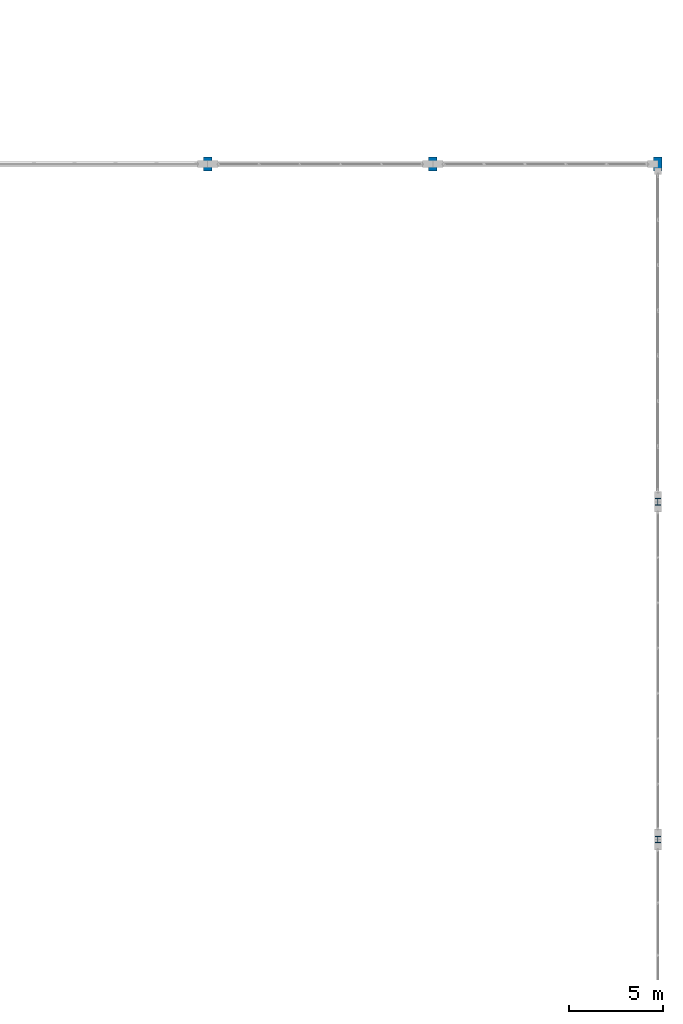
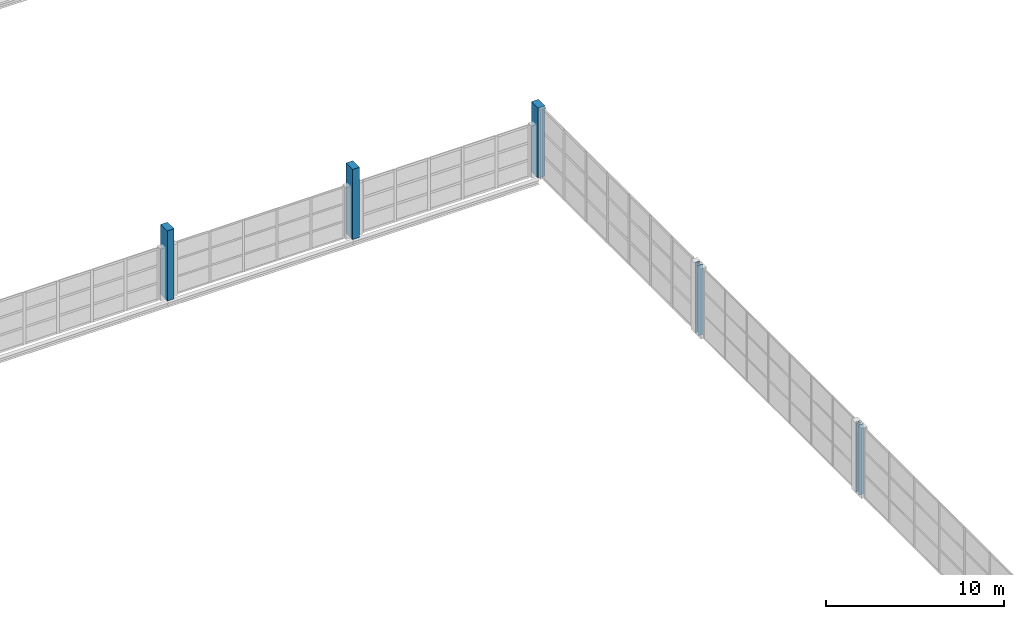
# One storey, part 16 of 147: 5 columns.
"""IFC4 building model written with IfcOpenShell, lengths in metres."""

from ifc_helpers import new_model, si_unit, direction, frame, origin, origin_2d, place, context, subcontext, project, spatial, rectangle, i_section, extrude, material, material_profile, profile_set, type_object, element, save


model = new_model("IFC4")

# Units and contexts
model_context = context("Model", 3, precision=1e-05, world=origin(), true_north=direction((0.0, 1.0)))
body_context = subcontext(model_context, "Body", "Model", "MODEL_VIEW")
ifc_project = project(units=[si_unit("LENGTHUNIT", "METRE"), si_unit("AREAUNIT", "SQUARE_METRE"), si_unit("VOLUMEUNIT", "CUBIC_METRE"), si_unit("PLANEANGLEUNIT", "RADIAN"), si_unit("MASSUNIT", "GRAM", prefix="KILO")], contexts=[model_context])

# Site, building, storey
site_placement = place(None, origin())
site = spatial("IfcSite", under=ifc_project, at=site_placement, CompositionType="ELEMENT")
building_placement = place(site_placement, origin())
building = spatial("IfcBuilding", under=site, at=building_placement, Name="Zilviju Railside Exhibition Hall", CompositionType="ELEMENT")
storey_placement = place(building_placement, frame((0.0, 0.0, 8.39990234375)))
storey = spatial("IfcBuildingStorey", under=building, at=storey_placement, Name="L03", CompositionType="ELEMENT", Elevation=8.39990234375)

# Columns
ifc_material_1 = material(Name="Steel S355J2", Category="steel")
ifc_material_profile_1 = material_profile(ifc_material_1, i_section(OverallWidth=0.300048828125, OverallDepth=0.360107421875, WebThickness=0.012451171875, FlangeThickness=0.0224609375, at=origin_2d()), Name="HEB 360")
ifc_profile_set_1 = profile_set([ifc_material_profile_1], Name="Steel S355J2")
column_type_1 = type_object("IfcColumnType", Name="COL-ST-HEB360", PredefinedType="COLUMN", material=ifc_profile_set_1)
for number, where, z_axis, x_axis, name in (
    (1, (216.0, 18.0, 0.0), (0.0, 0.0, 1.0), (1.0, 0.0, 0.0), "Structural Column L03 (216.0, 18.0)"),
    (2, (216.0, 36.0, 0.0), (0.0, 0.0, 1.0), (1.0, 0.0, 0.0), "Structural Column L03 (216.0, 36.0)"),
):
    element("IfcColumn", number, at=place(storey_placement, frame(where, z_axis=z_axis, x_axis=x_axis)), inside=storey, type_object=column_type_1, Name=name, PredefinedType="COLUMN", context=body_context, shape_type="SweptSolid", body=[
        extrude(i_section(OverallWidth=0.300048828125, OverallDepth=0.360107421875, WebThickness=0.012451171875, FlangeThickness=0.0224609375, at=origin_2d()), origin(), (0.0, 0.0, 1.0), 4.800048828125),
    ])
ifc_material_2 = material(Name="Concrete C40/50", Category="concrete")
ifc_material_profile_2 = material_profile(ifc_material_2, rectangle(XDim=0.449951171875, YDim=0.75, at=origin_2d()), Name="RC COL 450x750")
ifc_profile_set_2 = profile_set([ifc_material_profile_2], Name="Concrete C40/50")
column_type_2 = type_object("IfcColumnType", Name="PIL-RC-750x450", PredefinedType="PILASTER", material=ifc_profile_set_2)
for number, where, z_axis, x_axis, name in (
    (3, (192.0, 54.0, 0.0), (0.0, 0.0, 1.0), (1.0, 0.0, 0.0), "Structural Column L03 (192.0, 54.0)"),
    (4, (204.0, 54.0, 0.0), (0.0, 0.0, 1.0), (1.0, 0.0, 0.0), "Structural Column L03 (204.0, 54.0)"),
    (5, (216.0, 54.0, 0.0), (0.0, 0.0, 1.0), (1.0, 0.0, 0.0), "Structural Column L03 (216.0, 54.0)"),
):
    element("IfcColumn", number, at=place(storey_placement, frame(where, z_axis=z_axis, x_axis=x_axis)), inside=storey, type_object=column_type_2, Name=name, PredefinedType="PILASTER", context=body_context, shape_type="SweptSolid", body=[
        extrude(rectangle(XDim=0.449951171875, YDim=0.75, at=origin_2d()), origin(), (0.0, 0.0, 1.0), 4.800048828125),
    ])

save(model, "model.ifc")
